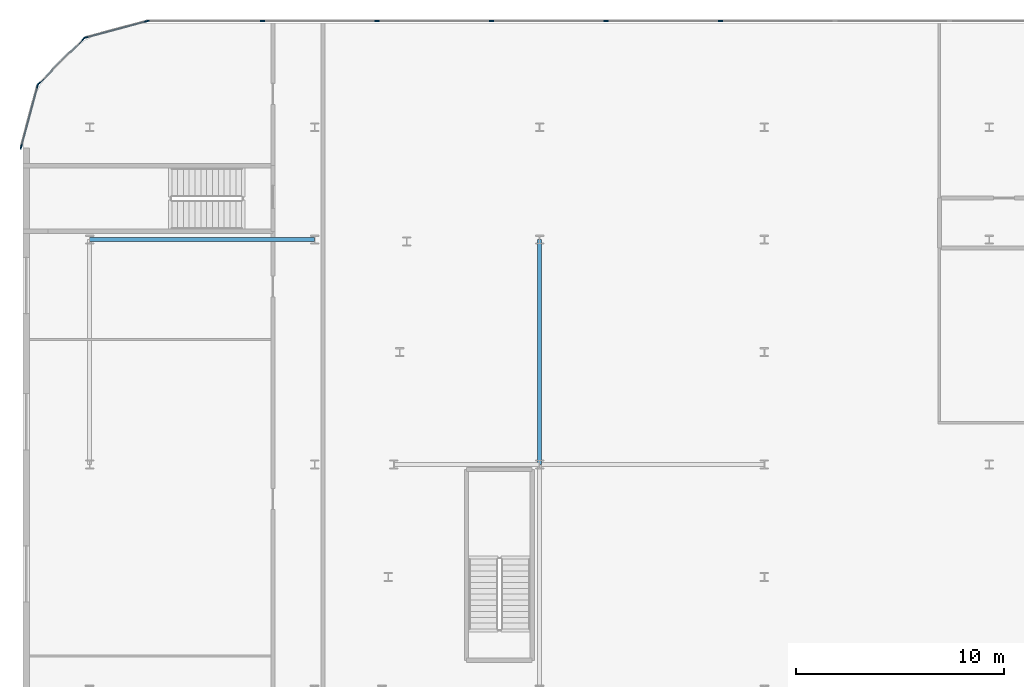
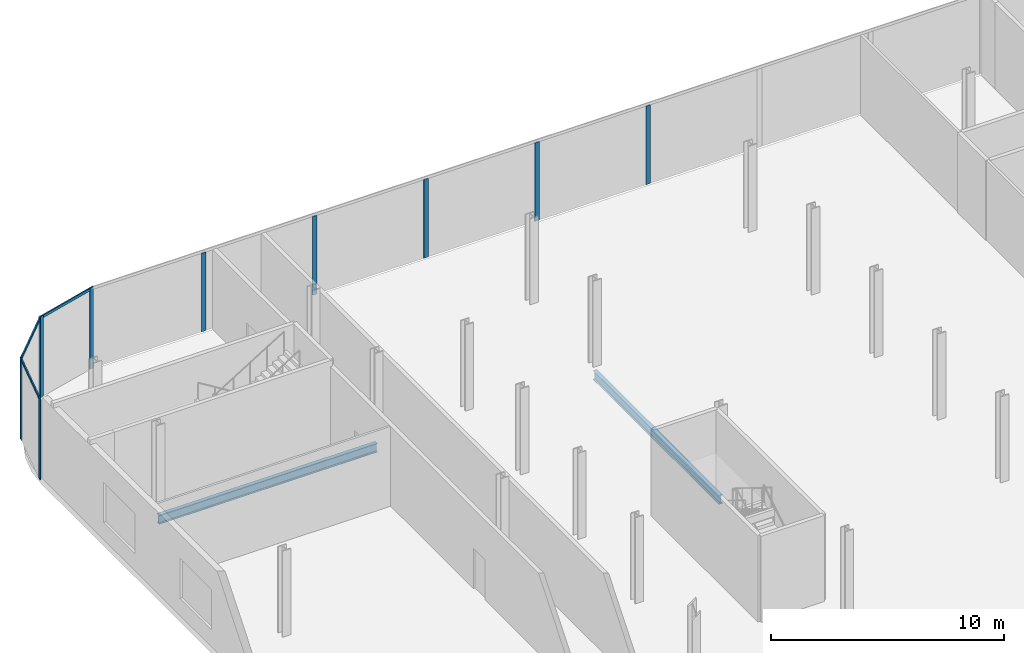
# One storey, part 16 of 47: 14 members, 2 beams, 4 elements without a shape of their own.
"""IFC4 building model written with IfcOpenShell, lengths in metres."""

from ifc_helpers import new_model, si_unit, direction, frame, origin, origin_2d, place, context, subcontext, project, spatial, rectangle, i_section, extrude, material, layer, layer_set, material_profile, profile_set, type_object, element, aggregate, save


model = new_model("IFC4")

# Units and contexts
model_context = context("Model", 3, precision=1e-05, world=origin(), true_north=direction((0.0, 1.0)))
body_context = subcontext(model_context, "Body", "Model", "MODEL_VIEW")
ifc_project = project(units=[si_unit("LENGTHUNIT", "METRE"), si_unit("AREAUNIT", "SQUARE_METRE"), si_unit("VOLUMEUNIT", "CUBIC_METRE"), si_unit("PLANEANGLEUNIT", "RADIAN"), si_unit("MASSUNIT", "GRAM", prefix="KILO")], contexts=[model_context])

# Site, building, storey
site_placement = place(None, origin())
site = spatial("IfcSite", under=ifc_project, at=site_placement, CompositionType="ELEMENT")
building_placement = place(site_placement, origin())
building = spatial("IfcBuilding", under=site, at=building_placement, Name="Kheshtan School and Residences Tower", CompositionType="ELEMENT")
storey_placement = place(building_placement, frame((0.0, 0.0, 12.5)))
storey = spatial("IfcBuildingStorey", under=building, at=storey_placement, Name="L02", CompositionType="ELEMENT", Elevation=12.5)

# Beams
ifc_material_1 = material(Name="Steel ASTM A992 Grade 50", Category="steel")
ifc_material_profile_1 = material_profile(ifc_material_1, i_section(OverallWidth=0.194091796875, OverallDepth=0.468994140625, WebThickness=0.0126953125, FlangeThickness=0.0205078125, FilletRadius=0.01416015625, at=origin_2d()), Name="W460x106")
ifc_profile_set_1 = profile_set([ifc_material_profile_1], Name="Steel ASTM A992 Grade 50")
beam_type = type_object("IfcBeamType", Name="Beam PB2 W460x106 ASTM A992 Grade 50", PredefinedType="BEAM", material=ifc_profile_set_1)
for number, where, z_axis, x_axis, name in (
    (1, (36.800048828125, 88.800048828125, -0.554443359375), (0.0, 1.0, 0.0), (-1.0, 0.0, 0.0), "Podium floor beam PB2"),
    (2, (15.199951171875, 99.60009765625, -0.554443359375), (1.0, 0.0, 0.0), (0.0, 1.0, 0.0), "Podium floor beam PB2"),
):
    element("IfcBeam", number, at=place(storey_placement, frame(where, z_axis=z_axis, x_axis=x_axis)), inside=storey, type_object=beam_type, Name=name, PredefinedType="BEAM", context=body_context, shape_type="SweptSolid", body=[
        extrude(i_section(OverallWidth=0.194091796875, OverallDepth=0.468994140625, WebThickness=0.0126953125, FlangeThickness=0.0205078125, FilletRadius=0.01416015625, at=origin_2d()), origin(), (0.0, 0.0, 1.0), 10.800048828125),
    ])

# Curtain wall, members
ifc_material_2 = material(Name="Clear low-e glass in thermally broken aluminium frame", Category="aluminium")
ifc_layer = layer(ifc_material_2, 0.22509765625)
ifc_layer_set = layer_set([ifc_layer], Name="Curtain wall CW-P")
curtain_wall_type = type_object("IfcCurtainWallType", Name="Curtain wall CW-P", PredefinedType="NOTDEFINED", material=ifc_layer_set)
curtain_wall_1_placement = place(storey_placement, origin())
curtain_wall_1 = element("IfcCurtainWall", 3, at=curtain_wall_1_placement, inside=storey, type_object=curtain_wall_type, Name="Curtain wall CWP1a", PredefinedType="NOTDEFINED")
ifc_material_3 = material(Name="Thermally broken aluminium, dark bronze anodised", Category="aluminium")
ifc_material_profile_2 = material_profile(ifc_material_3, rectangle(XDim=0.06005859375, YDim=0.22509765625, at=origin_2d()), Name="CW-P mullion 60x225")
ifc_profile_set_2 = profile_set([ifc_material_profile_2], Name="Thermally broken aluminium, dark bronze anodised")
member_type_1 = type_object("IfcMemberType", Name="CW-P mullion 60x225", PredefinedType="MULLION", material=ifc_profile_set_2)
member_1_placement = place(storey_placement, frame((11.9111328125, 104.054931640625, 0.0), z_axis=(0.0, 0.0, 1.0), x_axis=(-0.965913556273, 0.258864833085, 0.0)))
member_1 = element("IfcMember", 4, at=member_1_placement, type_object=member_type_1, Name="CWP1a mullion 1", PredefinedType="MULLION", context=body_context, shape_type="SweptSolid", body=[
    extrude(rectangle(XDim=0.06005859375, YDim=0.22509765625, at=origin_2d()), origin(), (0.0, 0.0, 1.0), 4.25),
])
member_2_placement = place(storey_placement, frame((12.69970703125, 106.996826171875, 0.0), z_axis=(0.0, 0.0, 1.0), x_axis=(-0.965913556273, 0.258864833085, 0.0)))
member_2 = element("IfcMember", 5, at=member_2_placement, type_object=member_type_1, Name="CWP1a mullion 2", PredefinedType="MULLION", context=body_context, shape_type="SweptSolid", body=[
    extrude(rectangle(XDim=0.06005859375, YDim=0.22509765625, at=origin_2d()), origin(), (0.0, 0.0, 1.0), 4.25),
])

curtain_wall_2_placement = place(storey_placement, origin())
curtain_wall_2 = element("IfcCurtainWall", 6, at=curtain_wall_2_placement, inside=storey, type_object=curtain_wall_type, Name="Curtain wall CWP2a", PredefinedType="NOTDEFINED")
member_3_placement = place(storey_placement, frame((12.75439453125, 107.092041015625, 0.0), z_axis=(0.0, 0.0, 1.0), x_axis=(-0.707106781187, 0.707106781187, 0.0)))
member_3 = element("IfcMember", 7, at=member_3_placement, type_object=member_type_1, Name="CWP2a mullion 1", PredefinedType="MULLION", context=body_context, shape_type="SweptSolid", body=[
    extrude(rectangle(XDim=0.06005859375, YDim=0.22509765625, at=origin_2d()), origin(), (0.0, 0.0, 1.0), 4.25),
])
member_4_placement = place(storey_placement, frame((14.907958984375, 109.24560546875, 0.0), z_axis=(0.0, 0.0, 1.0), x_axis=(-0.707106781187, 0.707106781187, 0.0)))
member_4 = element("IfcMember", 8, at=member_4_placement, type_object=member_type_1, Name="CWP2a mullion 2", PredefinedType="MULLION", context=body_context, shape_type="SweptSolid", body=[
    extrude(rectangle(XDim=0.06005859375, YDim=0.22509765625, at=origin_2d()), origin(), (0.0, 0.0, 1.0), 4.25),
])

curtain_wall_3_placement = place(storey_placement, origin())
curtain_wall_3 = element("IfcCurtainWall", 9, at=curtain_wall_3_placement, inside=storey, type_object=curtain_wall_type, Name="Curtain wall CWP3a", PredefinedType="NOTDEFINED")
member_5_placement = place(storey_placement, frame((15.003173828125, 109.30029296875, 0.0), z_axis=(0.0, 0.0, 1.0), x_axis=(-0.258864833085, 0.965913556273, 0.0)))
member_5 = element("IfcMember", 10, at=member_5_placement, type_object=member_type_1, Name="CWP3a mullion 1", PredefinedType="MULLION", context=body_context, shape_type="SweptSolid", body=[
    extrude(rectangle(XDim=0.06005859375, YDim=0.22509765625, at=origin_2d()), origin(), (0.0, 0.0, 1.0), 4.25),
])
member_6_placement = place(storey_placement, frame((17.945068359375, 110.0888671875, 0.0), z_axis=(0.0, 0.0, 1.0), x_axis=(-0.258864833085, 0.965913556273, 0.0)))
member_6 = element("IfcMember", 11, at=member_6_placement, type_object=member_type_1, Name="CWP3a mullion 2", PredefinedType="MULLION", context=body_context, shape_type="SweptSolid", body=[
    extrude(rectangle(XDim=0.06005859375, YDim=0.22509765625, at=origin_2d()), origin(), (0.0, 0.0, 1.0), 4.25),
])

curtain_wall_4_placement = place(storey_placement, origin())
curtain_wall_4 = element("IfcCurtainWall", 12, at=curtain_wall_4_placement, inside=storey, type_object=curtain_wall_type, Name="Curtain wall CWP4a", PredefinedType="NOTDEFINED")
member_7_placement = place(storey_placement, frame((23.498291015625, 110.10009765625, 0.0), z_axis=(0.0, 0.0, 1.0), x_axis=(0.0, 1.0, 0.0)))
member_7 = element("IfcMember", 13, at=member_7_placement, type_object=member_type_1, Name="CWP4a mullion 2", PredefinedType="MULLION", context=body_context, shape_type="SweptSolid", body=[
    extrude(rectangle(XDim=0.06005859375, YDim=0.22509765625, at=origin_2d()), origin(), (0.0, 0.0, 1.0), 4.110107421875),
])
member_8_placement = place(storey_placement, frame((28.996337890625, 110.10009765625, 0.0), z_axis=(0.0, 0.0, 1.0), x_axis=(0.0, 1.0, 0.0)))
member_8 = element("IfcMember", 14, at=member_8_placement, type_object=member_type_1, Name="CWP4a mullion 3", PredefinedType="MULLION", context=body_context, shape_type="SweptSolid", body=[
    extrude(rectangle(XDim=0.06005859375, YDim=0.22509765625, at=origin_2d()), origin(), (0.0, 0.0, 1.0), 4.110107421875),
])
member_9_placement = place(storey_placement, frame((34.49462890625, 110.10009765625, 0.0), z_axis=(0.0, 0.0, 1.0), x_axis=(0.0, 1.0, 0.0)))
member_9 = element("IfcMember", 15, at=member_9_placement, type_object=member_type_1, Name="CWP4a mullion 4", PredefinedType="MULLION", context=body_context, shape_type="SweptSolid", body=[
    extrude(rectangle(XDim=0.06005859375, YDim=0.22509765625, at=origin_2d()), origin(), (0.0, 0.0, 1.0), 4.110107421875),
])
member_10_placement = place(storey_placement, frame((39.99267578125, 110.10009765625, 0.0), z_axis=(0.0, 0.0, 1.0), x_axis=(0.0, 1.0, 0.0)))
member_10 = element("IfcMember", 16, at=member_10_placement, type_object=member_type_1, Name="CWP4a mullion 5", PredefinedType="MULLION", context=body_context, shape_type="SweptSolid", body=[
    extrude(rectangle(XDim=0.06005859375, YDim=0.22509765625, at=origin_2d()), origin(), (0.0, 0.0, 1.0), 4.110107421875),
])
member_11_placement = place(storey_placement, frame((45.490966796875, 110.10009765625, 0.0), z_axis=(0.0, 0.0, 1.0), x_axis=(0.0, 1.0, 0.0)))
member_11 = element("IfcMember", 17, at=member_11_placement, type_object=member_type_1, Name="CWP4a mullion 6", PredefinedType="MULLION", context=body_context, shape_type="SweptSolid", body=[
    extrude(rectangle(XDim=0.06005859375, YDim=0.22509765625, at=origin_2d()), origin(), (0.0, 0.0, 1.0), 4.110107421875),
])
aggregate(curtain_wall_4, [member_7, member_8, member_9, member_10, member_11])

# Member
ifc_material_profile_3 = material_profile(ifc_material_3, rectangle(XDim=0.06005859375, YDim=0.139892578125, at=origin_2d()), Name="CW-P transom 60x140")
ifc_profile_set_3 = profile_set([ifc_material_profile_3], Name="Thermally broken aluminium, dark bronze anodised")
member_type_2 = type_object("IfcMemberType", Name="CW-P transom 60x140", PredefinedType="USERDEFINED", material=ifc_profile_set_3)
member_12_placement = place(storey_placement, frame((11.9189453125, 104.083740234375, 4.179931640625), z_axis=(0.258853238275, 0.965916663607, 0.0), x_axis=(-0.965916663607, 0.258853238275, 0.0)))
member_12 = element("IfcMember", 18, at=member_12_placement, type_object=member_type_2, Name="CWP1a transom 1", ObjectType="TRANSOM", PredefinedType="USERDEFINED", context=body_context, shape_type="SweptSolid", body=[
    extrude(rectangle(XDim=0.06005859375, YDim=0.139892578125, at=origin_2d()), origin(), (0.0, 0.0, 1.0), 2.986083984375),
])

aggregate(curtain_wall_1, [member_1, member_2, member_12])

member_13_placement = place(storey_placement, frame((12.775634765625, 107.113037109375, 4.179931640625), z_axis=(0.707106781187, 0.707106781187, 0.0), x_axis=(-0.707106781187, 0.707106781187, 0.0)))
member_13 = element("IfcMember", 19, at=member_13_placement, type_object=member_type_2, Name="CWP2a transom 1", ObjectType="TRANSOM", PredefinedType="USERDEFINED", context=body_context, shape_type="SweptSolid", body=[
    extrude(rectangle(XDim=0.06005859375, YDim=0.139892578125, at=origin_2d()), origin(), (0.0, 0.0, 1.0), 2.98583984375),
])

aggregate(curtain_wall_2, [member_3, member_4, member_13])

member_14_placement = place(storey_placement, frame((15.031982421875, 109.30810546875, 4.179931640625), z_axis=(0.965916663607, 0.258853238275, 0.0), x_axis=(-0.258853238275, 0.965916663607, 0.0)))
member_14 = element("IfcMember", 20, at=member_14_placement, type_object=member_type_2, Name="CWP3a transom 1", ObjectType="TRANSOM", PredefinedType="USERDEFINED", context=body_context, shape_type="SweptSolid", body=[
    extrude(rectangle(XDim=0.06005859375, YDim=0.139892578125, at=origin_2d()), origin(), (0.0, 0.0, 1.0), 2.986083984375),
])

aggregate(curtain_wall_3, [member_5, member_6, member_14])

save(model, "model.ifc")
